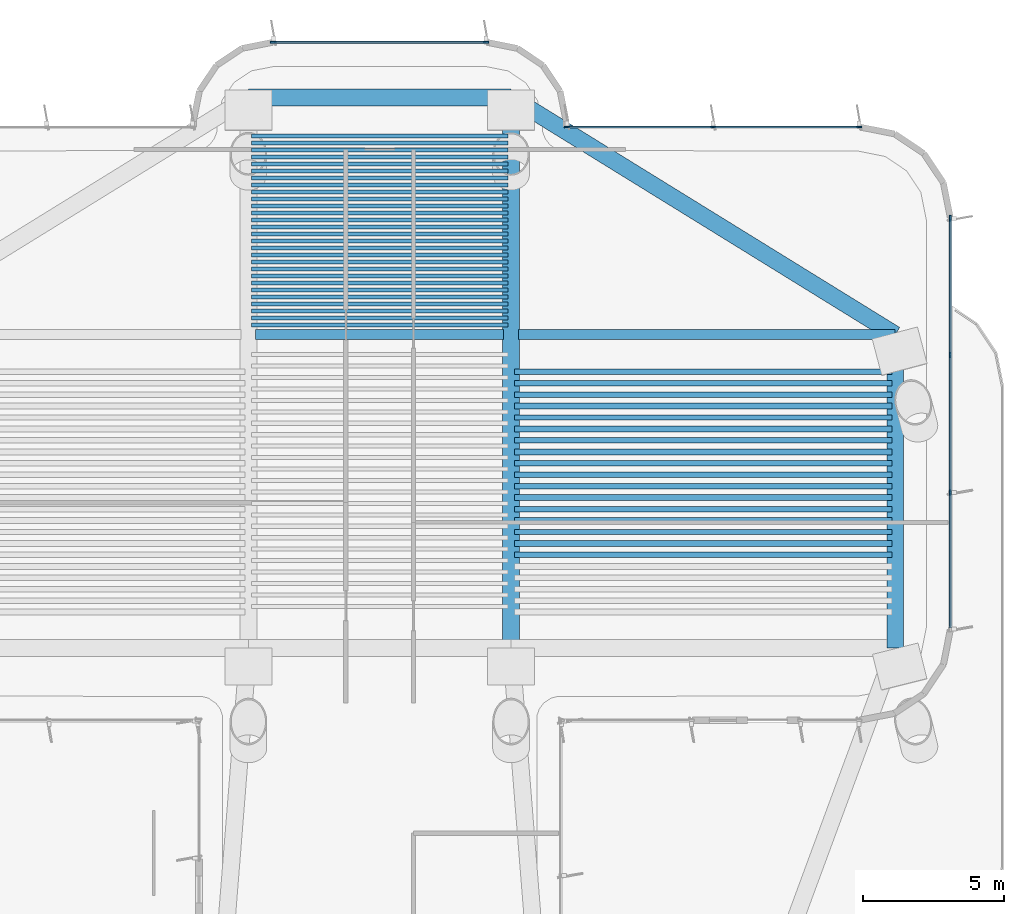
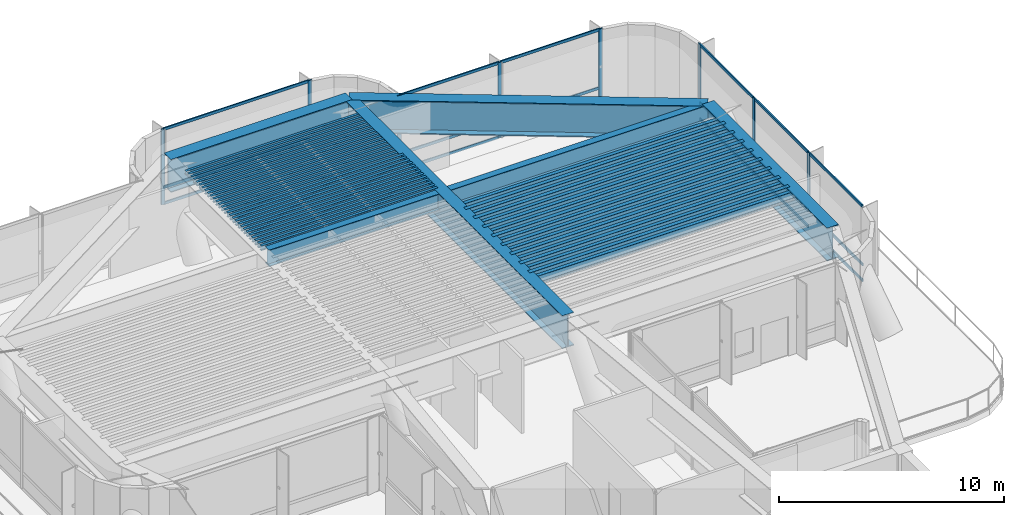
# One storey, part 6 of 13: 51 beams, 26 members, 3 elements without a shape of their own.
"""IFC4 building model written with IfcOpenShell, lengths in metres."""

from ifc_helpers import new_model, si_unit, direction, frame, origin, origin_2d, place, context, subcontext, project, spatial, rectangle, i_section, extrude, source, transform, mapped, material, layer, layer_set, material_profile, profile_set, type_object, element, aggregate, save


model = new_model("IFC4")

# Units and contexts
model_context = context("Model", 3, precision=1e-05, world=origin(), true_north=direction((0.0, 1.0)))
body_context = subcontext(model_context, "Body", "Model", "MODEL_VIEW")
ifc_project = project(units=[si_unit("LENGTHUNIT", "METRE"), si_unit("AREAUNIT", "SQUARE_METRE"), si_unit("VOLUMEUNIT", "CUBIC_METRE"), si_unit("PLANEANGLEUNIT", "RADIAN"), si_unit("MASSUNIT", "GRAM", prefix="KILO")], contexts=[model_context])

# Site, building, storey
site_placement = place(None, origin())
site = spatial("IfcSite", under=ifc_project, at=site_placement, CompositionType="ELEMENT")
building_placement = place(site_placement, origin())
building = spatial("IfcBuilding", under=site, at=building_placement, Name="Brelvock Crest Care Tower", CompositionType="ELEMENT")
storey_placement = place(building_placement, frame((0.0, 0.0, 151.919921875)))
storey = spatial("IfcBuildingStorey", under=building, at=storey_placement, Name="L38", CompositionType="ELEMENT", Elevation=151.919921875)

# Beams
ifc_material_1 = material(Name="Steel Grade 350", Category="steel")
ifc_material_profile_1 = material_profile(ifc_material_1, i_section(OverallWidth=0.60009765625, OverallDepth=1.800048828125, WebThickness=0.028076171875, FlangeThickness=0.052001953125, at=origin_2d()), Name="1800TG740")
ifc_profile_set_1 = profile_set([ifc_material_profile_1], Name="Steel Grade 350")
beam_type_1 = type_object("IfcBeamType", Name="BM-TG1", PredefinedType="USERDEFINED", material=ifc_profile_set_1)
shared_shape_1 = source(origin(), body_context, "Body", "SweptSolid", [
    extrude(i_section(OverallWidth=0.60009765625, OverallDepth=1.800048828125, WebThickness=0.028076171875, FlangeThickness=0.052001953125, at=origin_2d()), origin(), (0.0, 0.0, 1.0), 9.2998046875),
])
beam_1_placement = place(storey_placement, frame((31.35009765625, 54.449951171875, 3.192138671875), z_axis=(1.0, 0.0, 0.0), x_axis=(0.0, 1.0, 0.0)))
element("IfcBeam", 1, at=beam_1_placement, inside=storey, type_object=beam_type_1, Name="BM-TWR-L38-08", ObjectType="GIRDER", PredefinedType="USERDEFINED", context=body_context, shape_type="MappedRepresentation", body=[
    mapped(shared_shape_1, transform((0.0, 0.0, 0.0), x_axis=(1.0, 0.0, 0.0), y_axis=(0.0, 1.0, 0.0), z_axis=(0.0, 0.0, 1.0), scale=1.0)),
])
ifc_material_profile_2 = material_profile(ifc_material_1, i_section(OverallWidth=0.14599609375, OverallDepth=0.256103515625, WebThickness=0.00634765625, FlangeThickness=0.010986328125, FilletRadius=0.0087890625, at=origin_2d()), Name="250UB37.3")
ifc_profile_set_2 = profile_set([ifc_material_profile_2], Name="Steel Grade 350")
beam_type_2 = type_object("IfcBeamType", Name="BM-J3", PredefinedType="JOIST", material=ifc_profile_set_2)
shared_shape_2 = source(origin(), body_context, "Body", "SweptSolid", [
    extrude(i_section(OverallWidth=0.14599609375, OverallDepth=0.256103515625, WebThickness=0.00634765625, FlangeThickness=0.010986328125, FilletRadius=0.0087890625, at=origin_2d()), origin(), (0.0, 0.0, 1.0), 9.06982421875),
])
for number, where, z_axis, x_axis, name in (
    (2, (31.465087890625, 46.385986328125, 3.964111328125), (1.0, 0.0, 0.0), (0.0, 1.0, 0.0), "BM-JN-L38-1"),
    (3, (31.465087890625, 46.6337890625, 3.964111328125), (1.0, 0.0, 0.0), (0.0, 1.0, 0.0), "BM-JN-L38-2"),
    (4, (31.465087890625, 46.881591796875, 3.964111328125), (1.0, 0.0, 0.0), (0.0, 1.0, 0.0), "BM-JN-L38-3"),
    (5, (31.465087890625, 47.12939453125, 3.964111328125), (1.0, 0.0, 0.0), (0.0, 1.0, 0.0), "BM-JN-L38-4"),
    (6, (31.465087890625, 47.377197265625, 3.964111328125), (1.0, 0.0, 0.0), (0.0, 1.0, 0.0), "BM-JN-L38-5"),
    (7, (31.465087890625, 47.625, 3.964111328125), (1.0, 0.0, 0.0), (0.0, 1.0, 0.0), "BM-JN-L38-6"),
    (8, (31.465087890625, 47.872802734375, 3.964111328125), (1.0, 0.0, 0.0), (0.0, 1.0, 0.0), "BM-JN-L38-7"),
    (9, (31.465087890625, 48.12060546875, 3.964111328125), (1.0, 0.0, 0.0), (0.0, 1.0, 0.0), "BM-JN-L38-8"),
    (10, (31.465087890625, 48.368408203125, 3.964111328125), (1.0, 0.0, 0.0), (0.0, 1.0, 0.0), "BM-JN-L38-9"),
    (11, (31.465087890625, 48.6162109375, 3.964111328125), (1.0, 0.0, 0.0), (0.0, 1.0, 0.0), "BM-JN-L38-10"),
    (12, (31.465087890625, 48.864013671875, 3.964111328125), (1.0, 0.0, 0.0), (0.0, 1.0, 0.0), "BM-JN-L38-11"),
    (13, (31.465087890625, 49.11181640625, 3.964111328125), (1.0, 0.0, 0.0), (0.0, 1.0, 0.0), "BM-JN-L38-12"),
    (14, (31.465087890625, 49.359619140625, 3.964111328125), (1.0, 0.0, 0.0), (0.0, 1.0, 0.0), "BM-JN-L38-13"),
):
    element("IfcBeam", number, at=place(storey_placement, frame(where, z_axis=z_axis, x_axis=x_axis)), inside=storey, type_object=beam_type_2, Name=name, PredefinedType="JOIST", context=body_context, shape_type="MappedRepresentation", body=[
        mapped(shared_shape_2, transform((0.0, 0.0, 0.0), x_axis=(1.0, 0.0, 0.0), y_axis=(0.0, 1.0, 0.0), z_axis=(0.0, 0.0, 1.0), scale=1.0)),
    ])
ifc_material_profile_3 = material_profile(ifc_material_1, i_section(OverallWidth=0.134033203125, OverallDepth=0.20703125, WebThickness=0.00634765625, FlangeThickness=0.009521484375, FilletRadius=0.0087890625, at=origin_2d()), Name="200UB29.8")
ifc_profile_set_3 = profile_set([ifc_material_profile_3], Name="Steel Grade 350")
beam_type_3 = type_object("IfcBeamType", Name="BM-J4", PredefinedType="JOIST", material=ifc_profile_set_3)
shared_shape_3 = source(origin(), body_context, "Body", "SweptSolid", [
    extrude(i_section(OverallWidth=0.134033203125, OverallDepth=0.20703125, WebThickness=0.00634765625, FlangeThickness=0.009521484375, FilletRadius=0.0087890625, at=origin_2d()), origin(), (0.0, 0.0, 1.0), 9.06982421875),
])
for number, where, z_axis, x_axis, name in (
    (15, (31.465087890625, 49.607421875, 3.988525390625), (1.0, 0.0, 0.0), (0.0, 1.0, 0.0), "BM-JN-L38-14"),
    (16, (31.465087890625, 49.855224609375, 3.988525390625), (1.0, 0.0, 0.0), (0.0, 1.0, 0.0), "BM-JN-L38-15"),
    (17, (31.465087890625, 50.10302734375, 3.988525390625), (1.0, 0.0, 0.0), (0.0, 1.0, 0.0), "BM-JN-L38-16"),
    (18, (31.465087890625, 50.350830078125, 3.988525390625), (1.0, 0.0, 0.0), (0.0, 1.0, 0.0), "BM-JN-L38-17"),
    (19, (31.465087890625, 50.5986328125, 3.988525390625), (1.0, 0.0, 0.0), (0.0, 1.0, 0.0), "BM-JN-L38-18"),
    (20, (31.465087890625, 50.846435546875, 3.988525390625), (1.0, 0.0, 0.0), (0.0, 1.0, 0.0), "BM-JN-L38-19"),
    (21, (31.465087890625, 51.09423828125, 3.988525390625), (1.0, 0.0, 0.0), (0.0, 1.0, 0.0), "BM-JN-L38-20"),
    (22, (31.465087890625, 51.342041015625, 3.988525390625), (1.0, 0.0, 0.0), (0.0, 1.0, 0.0), "BM-JN-L38-21"),
    (23, (31.465087890625, 51.58984375, 3.988525390625), (1.0, 0.0, 0.0), (0.0, 1.0, 0.0), "BM-JN-L38-22"),
    (24, (31.465087890625, 51.837646484375, 3.988525390625), (1.0, 0.0, 0.0), (0.0, 1.0, 0.0), "BM-JN-L38-23"),
    (25, (31.465087890625, 52.08544921875, 3.988525390625), (1.0, 0.0, 0.0), (0.0, 1.0, 0.0), "BM-JN-L38-24"),
    (26, (31.465087890625, 52.333251953125, 3.988525390625), (1.0, 0.0, 0.0), (0.0, 1.0, 0.0), "BM-JN-L38-25"),
    (27, (31.465087890625, 52.5810546875, 3.988525390625), (1.0, 0.0, 0.0), (0.0, 1.0, 0.0), "BM-JN-L38-26"),
    (28, (31.465087890625, 52.828857421875, 3.988525390625), (1.0, 0.0, 0.0), (0.0, 1.0, 0.0), "BM-JN-L38-27"),
    (29, (31.465087890625, 53.07666015625, 3.988525390625), (1.0, 0.0, 0.0), (0.0, 1.0, 0.0), "BM-JN-L38-28"),
):
    element("IfcBeam", number, at=place(storey_placement, frame(where, z_axis=z_axis, x_axis=x_axis)), inside=storey, type_object=beam_type_3, Name=name, PredefinedType="JOIST", context=body_context, shape_type="MappedRepresentation", body=[
        mapped(shared_shape_3, transform((0.0, 0.0, 0.0), x_axis=(1.0, 0.0, 0.0), y_axis=(0.0, 1.0, 0.0), z_axis=(0.0, 0.0, 1.0), scale=1.0)),
    ])
ifc_material_profile_4 = material_profile(ifc_material_1, i_section(OverallWidth=0.35009765625, OverallDepth=0.89990234375, WebThickness=0.01611328125, FlangeThickness=0.028076171875, at=origin_2d()), Name="900WB257")
ifc_profile_set_4 = profile_set([ifc_material_profile_4], Name="Steel Grade 350")
beam_type_4 = type_object("IfcBeamType", Name="BM-G6", PredefinedType="BEAM", material=ifc_profile_set_4)
shared_shape_4 = source(origin(), body_context, "Body", "SweptSolid", [
    extrude(i_section(OverallWidth=0.35009765625, OverallDepth=0.89990234375, WebThickness=0.01611328125, FlangeThickness=0.028076171875, at=origin_2d()), origin(), (0.0, 0.0, 1.0), 8.77978515625),
])
beam_2_placement = place(storey_placement, frame((31.610107421875, 46.050048828125, 3.64208984375), z_axis=(1.0, 0.0, 0.0), x_axis=(0.0, 1.0, 0.0)))
element("IfcBeam", 30, at=beam_2_placement, inside=storey, type_object=beam_type_4, Name="BM-TIE-L38-C", PredefinedType="BEAM", context=body_context, shape_type="MappedRepresentation", body=[
    mapped(shared_shape_4, transform((0.0, 0.0, 0.0), x_axis=(1.0, 0.0, 0.0), y_axis=(0.0, 1.0, 0.0), z_axis=(0.0, 0.0, 1.0), scale=1.0)),
])
shared_shape_5 = source(origin(), body_context, "Body", "SweptSolid", [
    extrude(i_section(OverallWidth=0.60009765625, OverallDepth=1.800048828125, WebThickness=0.028076171875, FlangeThickness=0.052001953125, at=origin_2d()), origin(), (0.0, 0.0, 1.0), 11.10009765625),
])
beam_3_placement = place(storey_placement, frame((54.25, 34.949951171875, 3.192138671875), z_axis=(0.0, 1.0, 0.0), x_axis=(-1.0, 0.0, 0.0)))
element("IfcBeam", 31, at=beam_3_placement, inside=storey, type_object=beam_type_1, Name="BM-TWR-L38-02", ObjectType="GIRDER", PredefinedType="USERDEFINED", context=body_context, shape_type="MappedRepresentation", body=[
    mapped(shared_shape_5, transform((0.0, 0.0, 0.0), x_axis=(1.0, 0.0, 0.0), y_axis=(0.0, 1.0, 0.0), z_axis=(0.0, 0.0, 1.0), scale=1.0)),
])
shared_shape_6 = source(origin(), body_context, "Body", "SweptSolid", [
    extrude(i_section(OverallWidth=0.60009765625, OverallDepth=1.800048828125, WebThickness=0.028076171875, FlangeThickness=0.052001953125, at=origin_2d()), origin(), (0.0, 0.0, 1.0), 15.985107421875),
])
beam_4_placement = place(storey_placement, frame((40.64990234375, 54.449951171875, 3.192138671875), z_axis=(0.850802415717, -0.525485727124, 0.0), x_axis=(0.525485727124, 0.850802415717, 0.0)))
element("IfcBeam", 32, at=beam_4_placement, inside=storey, type_object=beam_type_1, Name="BM-TWR-L38-07", ObjectType="GIRDER", PredefinedType="USERDEFINED", context=body_context, shape_type="MappedRepresentation", body=[
    mapped(shared_shape_6, transform((0.0, 0.0, 0.0), x_axis=(1.0, 0.0, 0.0), y_axis=(0.0, 1.0, 0.0), z_axis=(0.0, 0.0, 1.0), scale=1.0)),
])
shared_shape_7 = source(origin(), body_context, "Body", "SweptSolid", [
    extrude(i_section(OverallWidth=0.60009765625, OverallDepth=1.800048828125, WebThickness=0.028076171875, FlangeThickness=0.052001953125, at=origin_2d()), origin(), (0.0, 0.0, 1.0), 19.5),
])
beam_5_placement = place(storey_placement, frame((40.64990234375, 34.949951171875, 3.192138671875), z_axis=(0.0, 1.0, 0.0), x_axis=(-1.0, 0.0, 0.0)))
element("IfcBeam", 33, at=beam_5_placement, inside=storey, type_object=beam_type_1, Name="BM-TWR-L38-10", ObjectType="GIRDER", PredefinedType="USERDEFINED", context=body_context, shape_type="MappedRepresentation", body=[
    mapped(shared_shape_7, transform((0.0, 0.0, 0.0), x_axis=(1.0, 0.0, 0.0), y_axis=(0.0, 1.0, 0.0), z_axis=(0.0, 0.0, 1.0), scale=1.0)),
])
shared_shape_8 = source(origin(), body_context, "Body", "SweptSolid", [
    extrude(i_section(OverallWidth=0.35009765625, OverallDepth=0.89990234375, WebThickness=0.01611328125, FlangeThickness=0.028076171875, at=origin_2d()), origin(), (0.0, 0.0, 1.0), 13.340087890625),
])
beam_6_placement = place(storey_placement, frame((40.909912109375, 46.050048828125, 3.64208984375), z_axis=(1.0, 0.0, 0.0), x_axis=(0.0, 1.0, 0.0)))
element("IfcBeam", 34, at=beam_6_placement, inside=storey, type_object=beam_type_4, Name="BM-TIE-L38-E", PredefinedType="BEAM", context=body_context, shape_type="MappedRepresentation", body=[
    mapped(shared_shape_8, transform((0.0, 0.0, 0.0), x_axis=(1.0, 0.0, 0.0), y_axis=(0.0, 1.0, 0.0), z_axis=(0.0, 0.0, 1.0), scale=1.0)),
])
ifc_material_profile_5 = material_profile(ifc_material_1, i_section(OverallWidth=0.208984375, OverallDepth=0.532958984375, WebThickness=0.01025390625, FlangeThickness=0.015625, FilletRadius=0.013916015625, at=origin_2d()), Name="530UB92.4")
ifc_profile_set_5 = profile_set([ifc_material_profile_5], Name="Steel Grade 350")
beam_type_5 = type_object("IfcBeamType", Name="BM-G2", PredefinedType="BEAM", material=ifc_profile_set_5)
shared_shape_9 = source(origin(), body_context, "Body", "SweptSolid", [
    extrude(i_section(OverallWidth=0.208984375, OverallDepth=0.532958984375, WebThickness=0.01025390625, FlangeThickness=0.015625, FilletRadius=0.013916015625, at=origin_2d()), origin(), (0.0, 0.0, 1.0), 13.3701171875),
])
for number, where, z_axis, x_axis, name in (
    (35, (40.764892578125, 38.657470703125, 3.82568359375), (1.0, 0.0, 0.0), (0.0, 1.0, 0.0), "BM-JE-L38-9"),
    (36, (40.764892578125, 39.4677734375, 3.82568359375), (1.0, 0.0, 0.0), (0.0, 1.0, 0.0), "BM-JE-L38-11"),
    (37, (40.764892578125, 40.278076171875, 3.82568359375), (1.0, 0.0, 0.0), (0.0, 1.0, 0.0), "BM-JE-L38-13"),
    (38, (40.764892578125, 41.08837890625, 3.82568359375), (1.0, 0.0, 0.0), (0.0, 1.0, 0.0), "BM-JE-L38-15"),
    (39, (40.764892578125, 41.898681640625, 3.82568359375), (1.0, 0.0, 0.0), (0.0, 1.0, 0.0), "BM-JE-L38-17"),
    (40, (40.764892578125, 42.708984375, 3.82568359375), (1.0, 0.0, 0.0), (0.0, 1.0, 0.0), "BM-JE-L38-19"),
    (41, (40.764892578125, 43.519287109375, 3.82568359375), (1.0, 0.0, 0.0), (0.0, 1.0, 0.0), "BM-JE-L38-21"),
    (42, (40.764892578125, 44.32958984375, 3.82568359375), (1.0, 0.0, 0.0), (0.0, 1.0, 0.0), "BM-JE-L38-23"),
):
    element("IfcBeam", number, at=place(storey_placement, frame(where, z_axis=z_axis, x_axis=x_axis)), inside=storey, type_object=beam_type_5, Name=name, PredefinedType="BEAM", context=body_context, shape_type="MappedRepresentation", body=[
        mapped(shared_shape_9, transform((0.0, 0.0, 0.0), x_axis=(1.0, 0.0, 0.0), y_axis=(0.0, 1.0, 0.0), z_axis=(0.0, 0.0, 1.0), scale=1.0)),
    ])
ifc_material_profile_6 = material_profile(ifc_material_1, i_section(OverallWidth=0.19091796875, OverallDepth=0.4599609375, WebThickness=0.010009765625, FlangeThickness=0.01611328125, FilletRadius=0.011474609375, at=origin_2d()), Name="460UB82.1")
ifc_profile_set_6 = profile_set([ifc_material_profile_6], Name="Steel Grade 350")
beam_type_6 = type_object("IfcBeamType", Name="BM-G3", PredefinedType="BEAM", material=ifc_profile_set_6)
shared_shape_10 = source(origin(), body_context, "Body", "SweptSolid", [
    extrude(i_section(OverallWidth=0.19091796875, OverallDepth=0.4599609375, WebThickness=0.010009765625, FlangeThickness=0.01611328125, FilletRadius=0.011474609375, at=origin_2d()), origin(), (0.0, 0.0, 1.0), 13.3701171875),
])
for number, where, z_axis, x_axis, name in (
    (43, (40.764892578125, 38.252197265625, 3.862060546875), (1.0, 0.0, 0.0), (0.0, 1.0, 0.0), "BM-JE-L38-8"),
    (44, (40.764892578125, 39.0625, 3.862060546875), (1.0, 0.0, 0.0), (0.0, 1.0, 0.0), "BM-JE-L38-10"),
    (45, (40.764892578125, 39.872802734375, 3.862060546875), (1.0, 0.0, 0.0), (0.0, 1.0, 0.0), "BM-JE-L38-12"),
    (46, (40.764892578125, 40.68310546875, 3.862060546875), (1.0, 0.0, 0.0), (0.0, 1.0, 0.0), "BM-JE-L38-14"),
    (47, (40.764892578125, 41.493408203125, 3.862060546875), (1.0, 0.0, 0.0), (0.0, 1.0, 0.0), "BM-JE-L38-16"),
    (48, (40.764892578125, 42.3037109375, 3.862060546875), (1.0, 0.0, 0.0), (0.0, 1.0, 0.0), "BM-JE-L38-18"),
    (49, (40.764892578125, 43.114013671875, 3.862060546875), (1.0, 0.0, 0.0), (0.0, 1.0, 0.0), "BM-JE-L38-20"),
    (50, (40.764892578125, 43.92431640625, 3.862060546875), (1.0, 0.0, 0.0), (0.0, 1.0, 0.0), "BM-JE-L38-22"),
    (51, (40.764892578125, 44.734619140625, 3.862060546875), (1.0, 0.0, 0.0), (0.0, 1.0, 0.0), "BM-JE-L38-24"),
):
    element("IfcBeam", number, at=place(storey_placement, frame(where, z_axis=z_axis, x_axis=x_axis)), inside=storey, type_object=beam_type_6, Name=name, PredefinedType="BEAM", context=body_context, shape_type="MappedRepresentation", body=[
        mapped(shared_shape_10, transform((0.0, 0.0, 0.0), x_axis=(1.0, 0.0, 0.0), y_axis=(0.0, 1.0, 0.0), z_axis=(0.0, 0.0, 1.0), scale=1.0)),
    ])

# Curtain wall, members
ifc_material_2 = material(Name="Dark Glass Double Glazed Low-E", Category="glass")
ifc_layer = layer(ifc_material_2, 0.2548828125, Name="CWS-6")
ifc_layer_set = layer_set([ifc_layer], Name="Dark Glass Double Glazed Low-E")
curtain_wall_type = type_object("IfcCurtainWallType", Name="CWS-6", PredefinedType="NOTDEFINED", material=ifc_layer_set)
curtain_wall_1_placement = place(storey_placement, origin())
curtain_wall_1 = element("IfcCurtainWall", 52, at=curtain_wall_1_placement, inside=storey, type_object=curtain_wall_type, Name="L38 Curtain Wall E28", PredefinedType="NOTDEFINED")
ifc_material_3 = material(Name="Aluminium 6063-T6", Category="aluminium")
ifc_material_profile_7 = material_profile(ifc_material_3, rectangle(XDim=0.06494140625, YDim=0.199951171875, at=origin_2d()), Name="ALU65x200")
ifc_profile_set_7 = profile_set([ifc_material_profile_7], Name="Aluminium 6063-T6")
member_type_1 = type_object("IfcMemberType", Name="CWM-1", PredefinedType="MULLION", material=ifc_profile_set_7)
shared_shape_11 = source(origin(), body_context, "Body", "SweptSolid", [
    extrude(rectangle(XDim=0.06494140625, YDim=0.199951171875, at=origin_2d()), origin(), (0.0, 0.0, 1.0), 4.092041015625),
])
member_1_placement = place(storey_placement, frame((32.232421875, 56.39990234375, 0.0), z_axis=(0.0, 0.0, 1.0), x_axis=(0.0, 1.0, 0.0)))
member_1 = element("IfcMember", 53, at=member_1_placement, type_object=member_type_1, Name="CW-6 mullion 1", PredefinedType="MULLION", context=body_context, shape_type="MappedRepresentation", body=[
    mapped(shared_shape_11, transform((0.0, 0.0, 0.0), x_axis=(1.0, 0.0, 0.0), y_axis=(0.0, 1.0, 0.0), z_axis=(0.0, 0.0, 1.0), scale=1.0)),
])
member_2_placement = place(storey_placement, frame((39.767578125, 56.39990234375, 0.0), z_axis=(0.0, 0.0, 1.0), x_axis=(0.0, 1.0, 0.0)))
member_2 = element("IfcMember", 54, at=member_2_placement, type_object=member_type_1, Name="CW-6 mullion 2", PredefinedType="MULLION", context=body_context, shape_type="MappedRepresentation", body=[
    mapped(shared_shape_11, transform((0.0, 0.0, 0.0), x_axis=(1.0, 0.0, 0.0), y_axis=(0.0, 1.0, 0.0), z_axis=(0.0, 0.0, 1.0), scale=1.0)),
])

curtain_wall_2_placement = place(storey_placement, origin())
curtain_wall_2 = element("IfcCurtainWall", 55, at=curtain_wall_2_placement, inside=storey, type_object=curtain_wall_type, Name="L38 Curtain Wall E34", PredefinedType="NOTDEFINED")
member_3_placement = place(storey_placement, frame((42.632568359375, 53.39990234375, 0.0), z_axis=(0.0, 0.0, 1.0), x_axis=(0.0, 1.0, 0.0)))
member_3 = element("IfcMember", 56, at=member_3_placement, type_object=member_type_1, Name="CW-6 mullion 1", PredefinedType="MULLION", context=body_context, shape_type="MappedRepresentation", body=[
    mapped(shared_shape_11, transform((0.0, 0.0, 0.0), x_axis=(1.0, 0.0, 0.0), y_axis=(0.0, 1.0, 0.0), z_axis=(0.0, 0.0, 1.0), scale=1.0)),
])
member_4_placement = place(storey_placement, frame((47.800048828125, 53.39990234375, 0.0), z_axis=(0.0, 0.0, 1.0), x_axis=(0.0, 1.0, 0.0)))
member_4 = element("IfcMember", 57, at=member_4_placement, type_object=member_type_1, Name="CW-6 mullion 2", PredefinedType="MULLION", context=body_context, shape_type="MappedRepresentation", body=[
    mapped(shared_shape_11, transform((0.0, 0.0, 0.0), x_axis=(1.0, 0.0, 0.0), y_axis=(0.0, 1.0, 0.0), z_axis=(0.0, 0.0, 1.0), scale=1.0)),
])
member_5_placement = place(storey_placement, frame((52.967529296875, 53.39990234375, 0.0), z_axis=(0.0, 0.0, 1.0), x_axis=(0.0, 1.0, 0.0)))
member_5 = element("IfcMember", 58, at=member_5_placement, type_object=member_type_1, Name="CW-6 mullion 3", PredefinedType="MULLION", context=body_context, shape_type="MappedRepresentation", body=[
    mapped(shared_shape_11, transform((0.0, 0.0, 0.0), x_axis=(1.0, 0.0, 0.0), y_axis=(0.0, 1.0, 0.0), z_axis=(0.0, 0.0, 1.0), scale=1.0)),
])

curtain_wall_3_placement = place(storey_placement, origin())
curtain_wall_3 = element("IfcCurtainWall", 59, at=curtain_wall_3_placement, inside=storey, type_object=curtain_wall_type, Name="L38 Curtain Wall E39", PredefinedType="NOTDEFINED")
member_6_placement = place(storey_placement, frame((56.199951171875, 50.16748046875, 0.0), z_axis=(0.0, 0.0, 1.0), x_axis=(1.0, 0.0, 0.0)))
member_6 = element("IfcMember", 60, at=member_6_placement, type_object=member_type_1, Name="CW-6 mullion 1", PredefinedType="MULLION", context=body_context, shape_type="MappedRepresentation", body=[
    mapped(shared_shape_11, transform((0.0, 0.0, 0.0), x_axis=(1.0, 0.0, 0.0), y_axis=(0.0, 1.0, 0.0), z_axis=(0.0, 0.0, 1.0), scale=1.0)),
])
member_7_placement = place(storey_placement, frame((56.199951171875, 45.333251953125, 0.0), z_axis=(0.0, 0.0, 1.0), x_axis=(1.0, 0.0, 0.0)))
member_7 = element("IfcMember", 61, at=member_7_placement, type_object=member_type_1, Name="CW-6 mullion 2", PredefinedType="MULLION", context=body_context, shape_type="MappedRepresentation", body=[
    mapped(shared_shape_11, transform((0.0, 0.0, 0.0), x_axis=(1.0, 0.0, 0.0), y_axis=(0.0, 1.0, 0.0), z_axis=(0.0, 0.0, 1.0), scale=1.0)),
])
member_8_placement = place(storey_placement, frame((56.199951171875, 40.466552734375, 0.0), z_axis=(0.0, 0.0, 1.0), x_axis=(1.0, 0.0, 0.0)))
member_8 = element("IfcMember", 62, at=member_8_placement, type_object=member_type_1, Name="CW-6 mullion 3", PredefinedType="MULLION", context=body_context, shape_type="MappedRepresentation", body=[
    mapped(shared_shape_11, transform((0.0, 0.0, 0.0), x_axis=(1.0, 0.0, 0.0), y_axis=(0.0, 1.0, 0.0), z_axis=(0.0, 0.0, 1.0), scale=1.0)),
])

# Member
ifc_material_profile_8 = material_profile(ifc_material_3, rectangle(XDim=0.06494140625, YDim=0.14990234375, at=origin_2d()), Name="ALU65x150")
ifc_profile_set_8 = profile_set([ifc_material_profile_8], Name="Aluminium 6063-T6")
member_type_2 = type_object("IfcMemberType", Name="CWT-1", PredefinedType="USERDEFINED", material=ifc_profile_set_8)
shared_shape_12 = source(origin(), body_context, "Body", "SweptSolid", [
    extrude(rectangle(XDim=0.06494140625, YDim=0.14990234375, at=origin_2d()), origin(), (0.0, 0.0, 1.0), 7.47021484375),
])
member_9_placement = place(storey_placement, frame((32.264892578125, 56.39990234375, 0.032470703125), z_axis=(1.0, 0.0, 0.0), x_axis=(0.0, 1.0, 0.0)))
member_9 = element("IfcMember", 63, at=member_9_placement, type_object=member_type_2, Name="CW-6 transom 1.1", ObjectType="TRANSOM", PredefinedType="USERDEFINED", context=body_context, shape_type="MappedRepresentation", body=[
    mapped(shared_shape_12, transform((0.0, 0.0, 0.0), x_axis=(1.0, 0.0, 0.0), y_axis=(0.0, 1.0, 0.0), z_axis=(0.0, 0.0, 1.0), scale=1.0)),
])

member_10_placement = place(storey_placement, frame((32.264892578125, 56.39990234375, 0.900146484375), z_axis=(1.0, 0.0, 0.0), x_axis=(0.0, 1.0, 0.0)))
member_10 = element("IfcMember", 64, at=member_10_placement, type_object=member_type_2, Name="CW-6 transom 1.2", ObjectType="TRANSOM", PredefinedType="USERDEFINED", context=body_context, shape_type="MappedRepresentation", body=[
    mapped(shared_shape_12, transform((0.0, 0.0, 0.0), x_axis=(1.0, 0.0, 0.0), y_axis=(0.0, 1.0, 0.0), z_axis=(0.0, 0.0, 1.0), scale=1.0)),
])

member_11_placement = place(storey_placement, frame((32.264892578125, 56.39990234375, 4.0595703125), z_axis=(1.0, 0.0, 0.0), x_axis=(0.0, 1.0, 0.0)))
member_11 = element("IfcMember", 65, at=member_11_placement, type_object=member_type_2, Name="CW-6 transom 1.3", ObjectType="TRANSOM", PredefinedType="USERDEFINED", context=body_context, shape_type="MappedRepresentation", body=[
    mapped(shared_shape_12, transform((0.0, 0.0, 0.0), x_axis=(1.0, 0.0, 0.0), y_axis=(0.0, 1.0, 0.0), z_axis=(0.0, 0.0, 1.0), scale=1.0)),
])

aggregate(curtain_wall_1, [member_1, member_2, member_9, member_10, member_11])

shared_shape_13 = source(origin(), body_context, "Body", "SweptSolid", [
    extrude(rectangle(XDim=0.06494140625, YDim=0.14990234375, at=origin_2d()), origin(), (0.0, 0.0, 1.0), 4.76904296875),
])
member_12_placement = place(storey_placement, frame((56.199951171875, 40.43408203125, 0.032470703125), z_axis=(0.0, -1.0, 0.0), x_axis=(1.0, 0.0, 0.0)))
member_12 = element("IfcMember", 66, at=member_12_placement, type_object=member_type_2, Name="CW-6 transom 3.1", ObjectType="TRANSOM", PredefinedType="USERDEFINED", context=body_context, shape_type="MappedRepresentation", body=[
    mapped(shared_shape_13, transform((0.0, 0.0, 0.0), x_axis=(1.0, 0.0, 0.0), y_axis=(0.0, 1.0, 0.0), z_axis=(0.0, 0.0, 1.0), scale=1.0)),
])

member_13_placement = place(storey_placement, frame((56.199951171875, 40.43408203125, 0.900146484375), z_axis=(0.0, -1.0, 0.0), x_axis=(1.0, 0.0, 0.0)))
member_13 = element("IfcMember", 67, at=member_13_placement, type_object=member_type_2, Name="CW-6 transom 3.2", ObjectType="TRANSOM", PredefinedType="USERDEFINED", context=body_context, shape_type="MappedRepresentation", body=[
    mapped(shared_shape_13, transform((0.0, 0.0, 0.0), x_axis=(1.0, 0.0, 0.0), y_axis=(0.0, 1.0, 0.0), z_axis=(0.0, 0.0, 1.0), scale=1.0)),
])

member_14_placement = place(storey_placement, frame((56.199951171875, 40.43408203125, 4.0595703125), z_axis=(0.0, -1.0, 0.0), x_axis=(1.0, 0.0, 0.0)))
member_14 = element("IfcMember", 68, at=member_14_placement, type_object=member_type_2, Name="CW-6 transom 3.3", ObjectType="TRANSOM", PredefinedType="USERDEFINED", context=body_context, shape_type="MappedRepresentation", body=[
    mapped(shared_shape_13, transform((0.0, 0.0, 0.0), x_axis=(1.0, 0.0, 0.0), y_axis=(0.0, 1.0, 0.0), z_axis=(0.0, 0.0, 1.0), scale=1.0)),
])

shared_shape_14 = source(origin(), body_context, "Body", "SweptSolid", [
    extrude(rectangle(XDim=0.06494140625, YDim=0.14990234375, at=origin_2d()), origin(), (0.0, 0.0, 1.0), 4.801513671875),
])
member_15_placement = place(storey_placement, frame((56.199951171875, 45.30078125, 0.032470703125), z_axis=(0.0, -1.0, 0.0), x_axis=(1.0, 0.0, 0.0)))
member_15 = element("IfcMember", 69, at=member_15_placement, type_object=member_type_2, Name="CW-6 transom 2.1", ObjectType="TRANSOM", PredefinedType="USERDEFINED", context=body_context, shape_type="MappedRepresentation", body=[
    mapped(shared_shape_14, transform((0.0, 0.0, 0.0), x_axis=(1.0, 0.0, 0.0), y_axis=(0.0, 1.0, 0.0), z_axis=(0.0, 0.0, 1.0), scale=1.0)),
])

member_16_placement = place(storey_placement, frame((56.199951171875, 45.30078125, 0.900146484375), z_axis=(0.0, -1.0, 0.0), x_axis=(1.0, 0.0, 0.0)))
member_16 = element("IfcMember", 70, at=member_16_placement, type_object=member_type_2, Name="CW-6 transom 2.2", ObjectType="TRANSOM", PredefinedType="USERDEFINED", context=body_context, shape_type="MappedRepresentation", body=[
    mapped(shared_shape_14, transform((0.0, 0.0, 0.0), x_axis=(1.0, 0.0, 0.0), y_axis=(0.0, 1.0, 0.0), z_axis=(0.0, 0.0, 1.0), scale=1.0)),
])

member_17_placement = place(storey_placement, frame((56.199951171875, 45.30078125, 4.0595703125), z_axis=(0.0, -1.0, 0.0), x_axis=(1.0, 0.0, 0.0)))
member_17 = element("IfcMember", 71, at=member_17_placement, type_object=member_type_2, Name="CW-6 transom 2.3", ObjectType="TRANSOM", PredefinedType="USERDEFINED", context=body_context, shape_type="MappedRepresentation", body=[
    mapped(shared_shape_14, transform((0.0, 0.0, 0.0), x_axis=(1.0, 0.0, 0.0), y_axis=(0.0, 1.0, 0.0), z_axis=(0.0, 0.0, 1.0), scale=1.0)),
])

shared_shape_15 = source(origin(), body_context, "Body", "SweptSolid", [
    extrude(rectangle(XDim=0.06494140625, YDim=0.14990234375, at=origin_2d()), origin(), (0.0, 0.0, 1.0), 4.769287109375),
])
member_18_placement = place(storey_placement, frame((56.199951171875, 50.135009765625, 0.032470703125), z_axis=(0.0, -1.0, 0.0), x_axis=(1.0, 0.0, 0.0)))
member_18 = element("IfcMember", 72, at=member_18_placement, type_object=member_type_2, Name="CW-6 transom 1.1", ObjectType="TRANSOM", PredefinedType="USERDEFINED", context=body_context, shape_type="MappedRepresentation", body=[
    mapped(shared_shape_15, transform((0.0, 0.0, 0.0), x_axis=(1.0, 0.0, 0.0), y_axis=(0.0, 1.0, 0.0), z_axis=(0.0, 0.0, 1.0), scale=1.0)),
])

member_19_placement = place(storey_placement, frame((56.199951171875, 50.135009765625, 0.900146484375), z_axis=(0.0, -1.0, 0.0), x_axis=(1.0, 0.0, 0.0)))
member_19 = element("IfcMember", 73, at=member_19_placement, type_object=member_type_2, Name="CW-6 transom 1.2", ObjectType="TRANSOM", PredefinedType="USERDEFINED", context=body_context, shape_type="MappedRepresentation", body=[
    mapped(shared_shape_15, transform((0.0, 0.0, 0.0), x_axis=(1.0, 0.0, 0.0), y_axis=(0.0, 1.0, 0.0), z_axis=(0.0, 0.0, 1.0), scale=1.0)),
])

member_20_placement = place(storey_placement, frame((56.199951171875, 50.135009765625, 4.0595703125), z_axis=(0.0, -1.0, 0.0), x_axis=(1.0, 0.0, 0.0)))
member_20 = element("IfcMember", 74, at=member_20_placement, type_object=member_type_2, Name="CW-6 transom 1.3", ObjectType="TRANSOM", PredefinedType="USERDEFINED", context=body_context, shape_type="MappedRepresentation", body=[
    mapped(shared_shape_15, transform((0.0, 0.0, 0.0), x_axis=(1.0, 0.0, 0.0), y_axis=(0.0, 1.0, 0.0), z_axis=(0.0, 0.0, 1.0), scale=1.0)),
])

aggregate(curtain_wall_3, [member_6, member_7, member_8, member_18, member_19, member_20, member_15, member_16, member_17, member_12, member_13, member_14])

shared_shape_16 = source(origin(), body_context, "Body", "SweptSolid", [
    extrude(rectangle(XDim=0.06494140625, YDim=0.14990234375, at=origin_2d()), origin(), (0.0, 0.0, 1.0), 5.1025390625),
])
member_21_placement = place(storey_placement, frame((42.6650390625, 53.39990234375, 0.032470703125), z_axis=(1.0, 0.0, 0.0), x_axis=(0.0, 1.0, 0.0)))
member_21 = element("IfcMember", 75, at=member_21_placement, type_object=member_type_2, Name="CW-6 transom 1.1", ObjectType="TRANSOM", PredefinedType="USERDEFINED", context=body_context, shape_type="MappedRepresentation", body=[
    mapped(shared_shape_16, transform((0.0, 0.0, 0.0), x_axis=(1.0, 0.0, 0.0), y_axis=(0.0, 1.0, 0.0), z_axis=(0.0, 0.0, 1.0), scale=1.0)),
])

member_22_placement = place(storey_placement, frame((42.6650390625, 53.39990234375, 0.900146484375), z_axis=(1.0, 0.0, 0.0), x_axis=(0.0, 1.0, 0.0)))
member_22 = element("IfcMember", 76, at=member_22_placement, type_object=member_type_2, Name="CW-6 transom 1.2", ObjectType="TRANSOM", PredefinedType="USERDEFINED", context=body_context, shape_type="MappedRepresentation", body=[
    mapped(shared_shape_16, transform((0.0, 0.0, 0.0), x_axis=(1.0, 0.0, 0.0), y_axis=(0.0, 1.0, 0.0), z_axis=(0.0, 0.0, 1.0), scale=1.0)),
])

member_23_placement = place(storey_placement, frame((42.6650390625, 53.39990234375, 4.0595703125), z_axis=(1.0, 0.0, 0.0), x_axis=(0.0, 1.0, 0.0)))
member_23 = element("IfcMember", 77, at=member_23_placement, type_object=member_type_2, Name="CW-6 transom 1.3", ObjectType="TRANSOM", PredefinedType="USERDEFINED", context=body_context, shape_type="MappedRepresentation", body=[
    mapped(shared_shape_16, transform((0.0, 0.0, 0.0), x_axis=(1.0, 0.0, 0.0), y_axis=(0.0, 1.0, 0.0), z_axis=(0.0, 0.0, 1.0), scale=1.0)),
])

member_24_placement = place(storey_placement, frame((47.83251953125, 53.39990234375, 0.032470703125), z_axis=(1.0, 0.0, 0.0), x_axis=(0.0, 1.0, 0.0)))
member_24 = element("IfcMember", 78, at=member_24_placement, type_object=member_type_2, Name="CW-6 transom 2.1", ObjectType="TRANSOM", PredefinedType="USERDEFINED", context=body_context, shape_type="MappedRepresentation", body=[
    mapped(shared_shape_16, transform((0.0, 0.0, 0.0), x_axis=(1.0, 0.0, 0.0), y_axis=(0.0, 1.0, 0.0), z_axis=(0.0, 0.0, 1.0), scale=1.0)),
])

member_25_placement = place(storey_placement, frame((47.83251953125, 53.39990234375, 0.900146484375), z_axis=(1.0, 0.0, 0.0), x_axis=(0.0, 1.0, 0.0)))
member_25 = element("IfcMember", 79, at=member_25_placement, type_object=member_type_2, Name="CW-6 transom 2.2", ObjectType="TRANSOM", PredefinedType="USERDEFINED", context=body_context, shape_type="MappedRepresentation", body=[
    mapped(shared_shape_16, transform((0.0, 0.0, 0.0), x_axis=(1.0, 0.0, 0.0), y_axis=(0.0, 1.0, 0.0), z_axis=(0.0, 0.0, 1.0), scale=1.0)),
])

member_26_placement = place(storey_placement, frame((47.83251953125, 53.39990234375, 4.0595703125), z_axis=(1.0, 0.0, 0.0), x_axis=(0.0, 1.0, 0.0)))
member_26 = element("IfcMember", 80, at=member_26_placement, type_object=member_type_2, Name="CW-6 transom 2.3", ObjectType="TRANSOM", PredefinedType="USERDEFINED", context=body_context, shape_type="MappedRepresentation", body=[
    mapped(shared_shape_16, transform((0.0, 0.0, 0.0), x_axis=(1.0, 0.0, 0.0), y_axis=(0.0, 1.0, 0.0), z_axis=(0.0, 0.0, 1.0), scale=1.0)),
])

aggregate(curtain_wall_2, [member_3, member_4, member_5, member_21, member_22, member_23, member_24, member_25, member_26])

save(model, "model.ifc")
